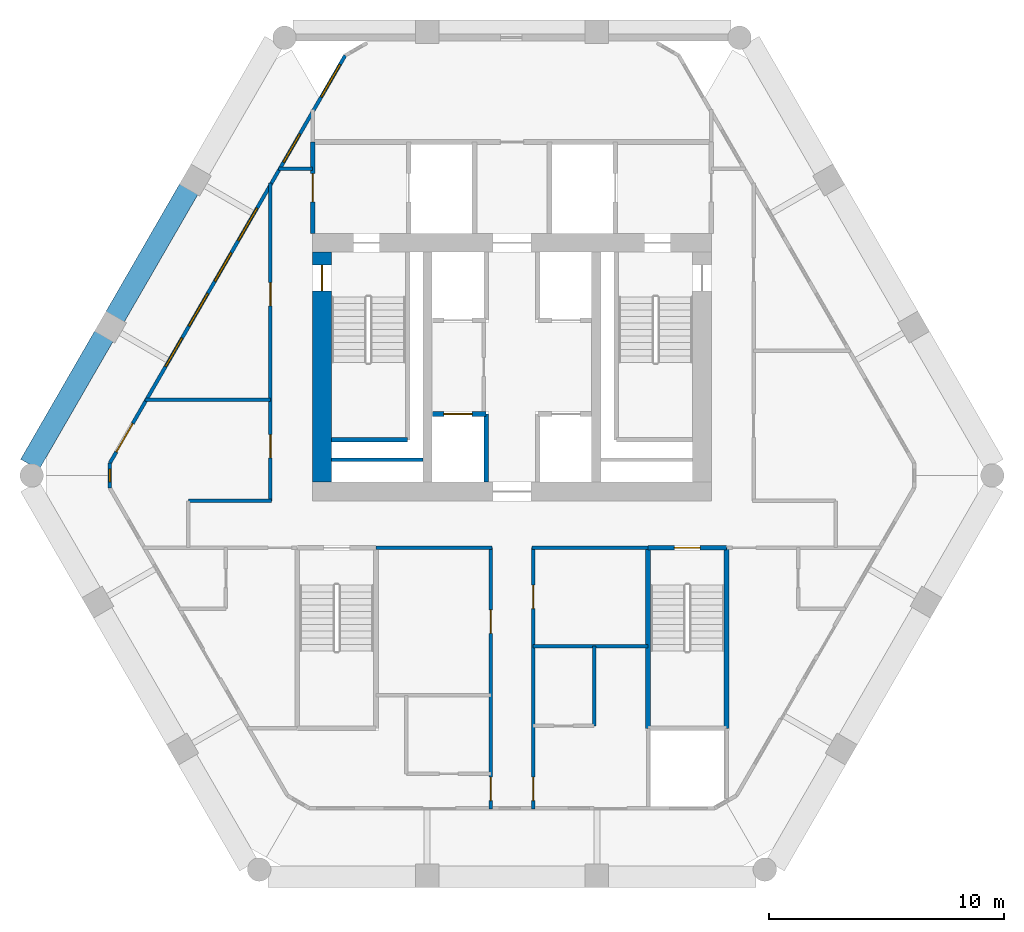
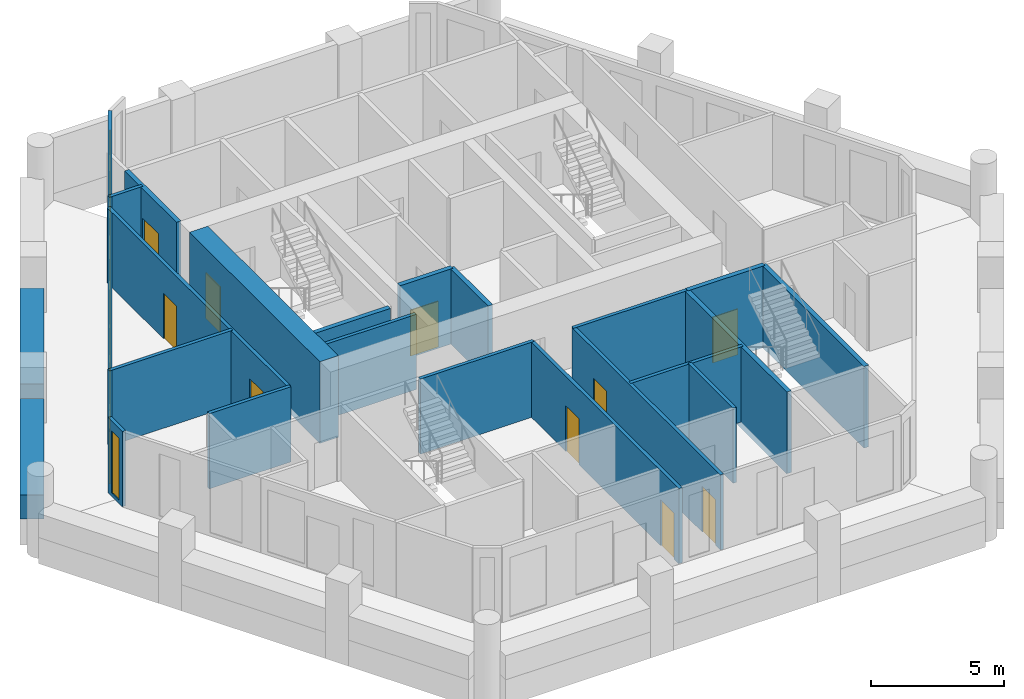
# One storey, part 3 of 7: 23 walls, 11 doors, 7 windows, 18 openings.
"""IFC4 building model written with IfcOpenShell, lengths in metres."""

from ifc_helpers import new_model, si_unit, direction, frame, frame_2d, origin, place, context, subcontext, project, spatial, rectangle, extrude, material, layer, layer_set, type_object, element, fill, save


model = new_model("IFC4")

# Units and contexts
model_context = context("Model", 3, precision=1e-05, world=origin(), true_north=direction((0.0, 1.0)))
body_context = subcontext(model_context, "Body", "Model", "MODEL_VIEW")
ifc_project = project(units=[si_unit("LENGTHUNIT", "METRE"), si_unit("AREAUNIT", "SQUARE_METRE"), si_unit("VOLUMEUNIT", "CUBIC_METRE"), si_unit("PLANEANGLEUNIT", "RADIAN"), si_unit("MASSUNIT", "GRAM", prefix="KILO")], contexts=[model_context])

# Site, building, storey
site_placement = place(None, origin())
site = spatial("IfcSite", under=ifc_project, at=site_placement, CompositionType="ELEMENT")
building_placement = place(site_placement, origin())
building = spatial("IfcBuilding", under=site, at=building_placement, Name="Ostrander Bayou Hotel Tower", CompositionType="ELEMENT")
storey_placement = place(building_placement, frame((0.0, 0.0, 183.25)))
storey = spatial("IfcBuildingStorey", under=building, at=storey_placement, Name="L45", CompositionType="ELEMENT", Elevation=183.25)

# Wall, opening, door
ifc_material_1 = material(Name="Concrete f'c 60 MPa", Category="concrete")
ifc_layer_1 = layer(ifc_material_1, 0.800048828125)
ifc_layer_set_1 = layer_set([ifc_layer_1], Name="CW8 core spine wall 800 mm f'c 60 MPa")
wall_type_1 = type_object("IfcWallType", Name="CW8 core spine wall 800 mm f'c 60 MPa", PredefinedType="SHEAR", material=ifc_layer_set_1)
wall_1_placement = place(storey_placement, frame((-8.10009765625, -0.89990234375, -0.300048828125), z_axis=(0.0, 0.0, 1.0), x_axis=(0.0, 1.0, 0.0)))
wall_1 = element("IfcWall", 1, at=wall_1_placement, inside=storey, type_object=wall_type_1, Name="CW8 L45 W", PredefinedType="SHEAR", context=body_context, shape_type="SweptSolid", body=[
    extrude(rectangle(XDim=9.7998046875, YDim=0.800048828125, at=frame_2d((4.89990234375, 0.0))), origin(), (0.0, 0.0, 1.0), 3.75),
])
opening_1_placement = place(wall_1_placement, frame((8.14990234375, 0.0, 0.0)))
opening_1 = element("IfcOpeningElement", 2, at=opening_1_placement, cuts=wall_1, Name="Opening T44-008", PredefinedType="OPENING", context=body_context, shape_type="SweptSolid", body=[
    extrude(rectangle(XDim=1.10009765625, YDim=2.10009765625, at=frame_2d((0.550048828125, 1.050048828125))), frame((0.0, 0.39990234375, 0.0), z_axis=(0.0, -1.0, 0.0), x_axis=(1.0, 0.0, 0.0)), (0.0, 0.0, 1.0), 0.800048828125),
])
ifc_material_2 = material(Name="Timber door leaf", Category="wood")
door_type_1 = type_object("IfcDoorType", Name="D5 stair door 1100 x 2100 mm, 90 minute", OperationType="SINGLE_SWING_LEFT", PredefinedType="DOOR", material=ifc_material_2)
door_1_placement = place(opening_1_placement, origin())
door_1 = element("IfcDoor", 3, at=door_1_placement, inside=storey, type_object=door_type_1, Name="dr:L45:008", OperationType="SINGLE_SWING_RIGHT", OverallHeight=2.10009765625, OverallWidth=1.10009765625, PredefinedType="DOOR", context=body_context, shape_type="SweptSolid", body=[
    extrude(rectangle(XDim=1.10009765625, YDim=2.10009765625, at=frame_2d((0.550048828125, 1.050048828125))), frame((0.0, 0.02490234375, 0.0), z_axis=(0.0, -1.0, 0.0), x_axis=(1.0, 0.0, 0.0)), (0.0, 0.0, 1.0), 0.050048828125),
])
fill(opening_1, door_1)

# Wall, openings, door, windows
ifc_material_3 = material(Name="Aluminium framed insulated wall", Category="aluminium")
ifc_layer_2 = layer(ifc_material_3, 0.14990234375)
ifc_layer_set_2 = layer_set([ifc_layer_2], Name="GW1 glass-line wall 150 mm")
wall_type_2 = type_object("IfcWallType", Name="GW1 glass-line wall 150 mm", PredefinedType="SOLIDWALL", material=ifc_layer_set_2)
wall_2_placement = place(storey_placement, frame((-7.109375, 17.29248046875, 0.0), z_axis=(0.0, 0.0, 1.0), x_axis=(-0.499999728453, -0.866025560562, 0.0)))
wall_2 = element("IfcWall", 4, at=wall_2_placement, inside=storey, type_object=wall_type_2, Name="GW1 L45 NW 1", PredefinedType="SOLIDWALL", context=body_context, shape_type="SweptSolid", body=[
    extrude(rectangle(XDim=20.07080078125, YDim=0.14990234375, at=frame_2d((10.035400390625, 0.0))), origin(), (0.0, 0.0, 1.0), 3.449951171875),
])
opening_2_placement = place(wall_2_placement, frame((3.86767578125, 0.0, 0.14990234375)))
opening_2 = element("IfcOpeningElement", 5, at=opening_2_placement, cuts=wall_2, Name="Opening W13", PredefinedType="OPENING", context=body_context, shape_type="SweptSolid", body=[
    extrude(rectangle(XDim=1.39990234375, YDim=2.85009765625, at=frame_2d((0.699951171875, 1.425048828125))), frame((0.0, 0.074951171875, 0.0), z_axis=(0.0, -1.0, 0.0), x_axis=(1.0, 0.0, 0.0)), (0.0, 0.0, 1.0), 0.14990234375),
])
opening_3_placement = place(wall_2_placement, frame((7.52099609375, 0.0, 0.14990234375)))
opening_3 = element("IfcOpeningElement", 6, at=opening_3_placement, cuts=wall_2, Name="Opening W3", PredefinedType="OPENING", context=body_context, shape_type="SweptSolid", body=[
    extrude(rectangle(XDim=1.60009765625, YDim=2.85009765625, at=frame_2d((0.800048828125, 1.425048828125))), frame((0.0, 0.074951171875, 0.0), z_axis=(0.0, -1.0, 0.0), x_axis=(1.0, 0.0, 0.0)), (0.0, 0.0, 1.0), 0.14990234375),
])
opening_4_placement = place(wall_2_placement, frame((9.72119140625, 0.0, 0.14990234375)))
opening_4 = element("IfcOpeningElement", 7, at=opening_4_placement, cuts=wall_2, Name="Opening W13", PredefinedType="OPENING", context=body_context, shape_type="SweptSolid", body=[
    extrude(rectangle(XDim=1.39990234375, YDim=2.85009765625, at=frame_2d((0.699951171875, 1.425048828125))), frame((0.0, 0.074951171875, 0.0), z_axis=(0.0, -1.0, 0.0), x_axis=(1.0, 0.0, 0.0)), (0.0, 0.0, 1.0), 0.14990234375),
])
opening_5_placement = place(wall_2_placement, frame((11.72119140625, 0.0, 0.14990234375)))
opening_5 = element("IfcOpeningElement", 8, at=opening_5_placement, cuts=wall_2, Name="Opening W3", PredefinedType="OPENING", context=body_context, shape_type="SweptSolid", body=[
    extrude(rectangle(XDim=1.60009765625, YDim=2.85009765625, at=frame_2d((0.800048828125, 1.425048828125))), frame((0.0, 0.074951171875, 0.0), z_axis=(0.0, -1.0, 0.0), x_axis=(1.0, 0.0, 0.0)), (0.0, 0.0, 1.0), 0.14990234375),
])
opening_6_placement = place(wall_2_placement, frame((13.921142578125, 0.0, 0.14990234375)))
opening_6 = element("IfcOpeningElement", 9, at=opening_6_placement, cuts=wall_2, Name="Opening W13", PredefinedType="OPENING", context=body_context, shape_type="SweptSolid", body=[
    extrude(rectangle(XDim=1.39990234375, YDim=2.85009765625, at=frame_2d((0.699951171875, 1.425048828125))), frame((0.0, 0.074951171875, 0.0), z_axis=(0.0, -1.0, 0.0), x_axis=(1.0, 0.0, 0.0)), (0.0, 0.0, 1.0), 0.14990234375),
])
opening_7_placement = place(wall_2_placement, frame((18.12109375, 0.0, 0.0)))
opening_7 = element("IfcOpeningElement", 10, at=opening_7_placement, cuts=wall_2, Name="Opening T44-800", PredefinedType="OPENING", context=body_context, shape_type="SweptSolid", body=[
    extrude(rectangle(XDim=1.39990234375, YDim=2.39990234375, at=frame_2d((0.699951171875, 1.199951171875))), frame((0.0, 0.074951171875, 0.0), z_axis=(0.0, -1.0, 0.0), x_axis=(1.0, 0.0, 0.0)), (0.0, 0.0, 1.0), 0.14990234375),
])
opening_8_placement = place(wall_2_placement, frame((0.45166015625, 0.0, 0.14990234375)))
opening_8 = element("IfcOpeningElement", 11, at=opening_8_placement, cuts=wall_2, Name="Opening W3", PredefinedType="OPENING", context=body_context, shape_type="SweptSolid", body=[
    extrude(rectangle(XDim=1.60009765625, YDim=2.72998046875, at=frame_2d((0.800048828125, 1.364990234375))), frame((0.0, 0.074951171875, 0.0), z_axis=(0.0, -1.0, 0.0), x_axis=(1.0, 0.0, 0.0)), (0.0, 0.0, 1.0), 0.14990234375),
])
ifc_material_4 = material(Name="Aluminium and clear glass", Category="aluminium")
door_type_2 = type_object("IfcDoorType", Name="SD3 sliding glass door 1400 mm, zone 3", OperationType="SLIDING_TO_LEFT", PredefinedType="DOOR", material=ifc_material_4)
door_2_placement = place(opening_7_placement, origin())
door_2 = element("IfcDoor", 12, at=door_2_placement, inside=storey, type_object=door_type_2, Name="SD3 L45 NW 4", OperationType="SLIDING_TO_RIGHT", OverallHeight=2.39990234375, OverallWidth=1.39990234375, PredefinedType="DOOR", context=body_context, shape_type="SweptSolid", body=[
    extrude(rectangle(XDim=1.39990234375, YDim=2.39990234375, at=frame_2d((0.699951171875, 1.199951171875))), frame((0.0, 0.02490234375, 0.0), z_axis=(0.0, -1.0, 0.0), x_axis=(1.0, 0.0, 0.0)), (0.0, 0.0, 1.0), 0.050048828125),
])
fill(opening_7, door_2)
ifc_material_5 = material(Name="Aluminium and clear glass", Category="aluminium")
window_type_1 = type_object("IfcWindowType", Name="W13 fixed window 1400 mm, bath bay, zone 3", PartitioningType="SINGLE_PANEL", PredefinedType="WINDOW", material=ifc_material_5)
window_1_placement = place(opening_2_placement, origin())
window_1 = element("IfcWindow", 13, at=window_1_placement, inside=storey, type_object=window_type_1, Name="W13 L45 NW 1", OverallHeight=2.85009765625, OverallWidth=1.39990234375, PartitioningType="SINGLE_PANEL", PredefinedType="WINDOW", context=body_context, shape_type="SweptSolid", body=[
    extrude(rectangle(XDim=1.39990234375, YDim=2.85009765625, at=frame_2d((0.699951171875, 1.425048828125))), frame((0.0, 0.030029296875, 0.0), z_axis=(0.0, -1.0, 0.0), x_axis=(1.0, 0.0, 0.0)), (0.0, 0.0, 1.0), 0.06005859375),
])
fill(opening_2, window_1)
window_2_placement = place(opening_4_placement, origin())
window_2 = element("IfcWindow", 14, at=window_2_placement, inside=storey, type_object=window_type_1, Name="W13 L45 NW 2", OverallHeight=2.85009765625, OverallWidth=1.39990234375, PartitioningType="SINGLE_PANEL", PredefinedType="WINDOW", context=body_context, shape_type="SweptSolid", body=[
    extrude(rectangle(XDim=1.39990234375, YDim=2.85009765625, at=frame_2d((0.699951171875, 1.425048828125))), frame((0.0, 0.030029296875, 0.0), z_axis=(0.0, -1.0, 0.0), x_axis=(1.0, 0.0, 0.0)), (0.0, 0.0, 1.0), 0.06005859375),
])
fill(opening_4, window_2)
window_3_placement = place(opening_6_placement, origin())
window_3 = element("IfcWindow", 15, at=window_3_placement, inside=storey, type_object=window_type_1, Name="W13 L45 NW 3", OverallHeight=2.85009765625, OverallWidth=1.39990234375, PartitioningType="SINGLE_PANEL", PredefinedType="WINDOW", context=body_context, shape_type="SweptSolid", body=[
    extrude(rectangle(XDim=1.39990234375, YDim=2.85009765625, at=frame_2d((0.699951171875, 1.425048828125))), frame((0.0, 0.030029296875, 0.0), z_axis=(0.0, -1.0, 0.0), x_axis=(1.0, 0.0, 0.0)), (0.0, 0.0, 1.0), 0.06005859375),
])
fill(opening_6, window_3)
ifc_material_6 = material(Name="Aluminium and clear glass", Category="aluminium")
window_type_2 = type_object("IfcWindowType", Name="W3 fixed window 1600 mm, zone 3", PartitioningType="SINGLE_PANEL", PredefinedType="WINDOW", material=ifc_material_6)
window_4_placement = place(opening_3_placement, origin())
window_4 = element("IfcWindow", 16, at=window_4_placement, inside=storey, type_object=window_type_2, Name="W3 L45 NW 2", OverallHeight=2.85009765625, OverallWidth=1.60009765625, PartitioningType="SINGLE_PANEL", PredefinedType="WINDOW", context=body_context, shape_type="SweptSolid", body=[
    extrude(rectangle(XDim=1.60009765625, YDim=2.85009765625, at=frame_2d((0.800048828125, 1.425048828125))), frame((0.0, 0.030029296875, 0.0), z_axis=(0.0, -1.0, 0.0), x_axis=(1.0, 0.0, 0.0)), (0.0, 0.0, 1.0), 0.06005859375),
])
fill(opening_3, window_4)
window_5_placement = place(opening_5_placement, origin())
window_5 = element("IfcWindow", 17, at=window_5_placement, inside=storey, type_object=window_type_2, Name="W3 L45 NW 3", OverallHeight=2.85009765625, OverallWidth=1.60009765625, PartitioningType="SINGLE_PANEL", PredefinedType="WINDOW", context=body_context, shape_type="SweptSolid", body=[
    extrude(rectangle(XDim=1.60009765625, YDim=2.85009765625, at=frame_2d((0.800048828125, 1.425048828125))), frame((0.0, 0.030029296875, 0.0), z_axis=(0.0, -1.0, 0.0), x_axis=(1.0, 0.0, 0.0)), (0.0, 0.0, 1.0), 0.06005859375),
])
fill(opening_5, window_5)
window_6_placement = place(opening_8_placement, origin())
window_6 = element("IfcWindow", 18, at=window_6_placement, inside=storey, type_object=window_type_2, Name="W3 L45 NW E11", OverallHeight=2.72998046875, OverallWidth=1.60009765625, PartitioningType="SINGLE_PANEL", PredefinedType="WINDOW", context=body_context, shape_type="SweptSolid", body=[
    extrude(rectangle(XDim=1.60009765625, YDim=2.72998046875, at=frame_2d((0.800048828125, 1.364990234375))), frame((0.0, 0.030029296875, 0.0), z_axis=(0.0, -1.0, 0.0), x_axis=(1.0, 0.0, 0.0)), (0.0, 0.0, 1.0), 0.06005859375),
])
fill(opening_8, window_6)

# Wall, opening, window
wall_3_placement = place(storey_placement, frame((-17.144775390625, -0.08935546875, 0.0), z_axis=(0.0, 0.0, 1.0), x_axis=(0.0, -1.0, 0.0)))
wall_3 = element("IfcWall", 19, at=wall_3_placement, inside=storey, type_object=wall_type_2, Name="GW1 L45 corner 2", PredefinedType="SOLIDWALL", context=body_context, shape_type="SweptSolid", body=[
    extrude(rectangle(XDim=1.06494140625, YDim=0.14990234375, at=frame_2d((0.532470703125, 0.0))), origin(), (0.0, 0.0, 1.0), 3.449951171875),
])
opening_9_placement = place(wall_3_placement, frame((0.257568359375, 0.0, 0.14990234375)))
opening_9 = element("IfcOpeningElement", 20, at=opening_9_placement, cuts=wall_3, Name="Opening W19", PredefinedType="OPENING", context=body_context, shape_type="SweptSolid", body=[
    extrude(rectangle(XDim=0.550048828125, YDim=2.85009765625, at=frame_2d((0.27490234375, 1.425048828125))), frame((0.0, 0.074951171875, 0.0), z_axis=(0.0, -1.0, 0.0), x_axis=(1.0, 0.0, 0.0)), (0.0, 0.0, 1.0), 0.14990234375),
])
ifc_material_7 = material(Name="Aluminium and clear glass", Category="aluminium")
window_type_3 = type_object("IfcWindowType", Name="W19 corner window 550 mm", PartitioningType="SINGLE_PANEL", PredefinedType="WINDOW", material=ifc_material_7)
window_7_placement = place(opening_9_placement, origin())
window_7 = element("IfcWindow", 21, at=window_7_placement, inside=storey, type_object=window_type_3, Name="W19 L45 corner 2", OverallHeight=2.85009765625, OverallWidth=0.550048828125, PartitioningType="SINGLE_PANEL", PredefinedType="WINDOW", context=body_context, shape_type="SweptSolid", body=[
    extrude(rectangle(XDim=0.550048828125, YDim=2.85009765625, at=frame_2d((0.27490234375, 1.425048828125))), frame((0.0, 0.030029296875, 0.0), z_axis=(0.0, -1.0, 0.0), x_axis=(1.0, 0.0, 0.0)), (0.0, 0.0, 1.0), 0.06005859375),
])
fill(opening_9, window_7)

# Walls
ifc_material_8 = material(Name="Concrete f'c 40 MPa", Category="concrete")
ifc_layer_3 = layer(ifc_material_8, 0.89990234375)
ifc_layer_set_3 = layer_set([ifc_layer_3], Name="PA1 stone-faced parapet 900 mm")
wall_type_3 = type_object("IfcWallType", Name="PA1 stone-faced parapet 900 mm", PredefinedType="PARAPET", material=ifc_layer_set_3)
wall_4_placement = place(storey_placement, frame((-13.779052734375, 11.59033203125, 0.0), z_axis=(0.0, 0.0, 1.0), x_axis=(-0.499984268907, -0.866034485945, 0.0)))
element("IfcWall", 22, at=wall_4_placement, inside=storey, type_object=wall_type_3, Name="PA1 L45 NW-2", PredefinedType="PARAPET", context=body_context, shape_type="SweptSolid", body=[
    extrude(rectangle(XDim=6.296142578125, YDim=0.89990234375, at=frame_2d((3.14794921875, 0.0))), origin(), (0.0, 0.0, 1.0), 1.10009765625),
])
wall_5_placement = place(storey_placement, frame((-17.39697265625, 5.32373046875, 0.0), z_axis=(0.0, 0.0, 1.0), x_axis=(-0.500017688138, -0.866015191293, 0.0)))
element("IfcWall", 23, at=wall_5_placement, inside=storey, type_object=wall_type_3, Name="PA1 L45 NW-3", PredefinedType="PARAPET", context=body_context, shape_type="SweptSolid", body=[
    extrude(rectangle(XDim=6.322998046875, YDim=0.89990234375, at=frame_2d((3.16162109375, 0.0))), origin(), (0.0, 0.0, 1.0), 1.10009765625),
])

# Wall, opening, door
ifc_material_9 = material(Name="Masonry block", Category="masonry")
ifc_layer_4 = layer(ifc_material_9, 0.199951171875)
ifc_layer_set_4 = layer_set([ifc_layer_4], Name="PT5 stair enclosure wall 200 mm masonry, 2 hour")
wall_type_4 = type_object("IfcWallType", Name="PT5 stair enclosure wall 200 mm masonry, 2 hour", PredefinedType="PARTITIONING", material=ifc_layer_set_4)
wall_6_placement = place(storey_placement, frame((-8.5, 9.699951171875, 0.0), z_axis=(0.0, 0.0, 1.0), x_axis=(0.0, 1.0, 0.0)))
wall_6 = element("IfcWall", 24, at=wall_6_placement, inside=storey, type_object=wall_type_4, Name="cs:L45:026", PredefinedType="PARTITIONING", context=body_context, shape_type="SweptSolid", body=[
    extrude(rectangle(XDim=3.900146484375, YDim=0.199951171875, at=frame_2d((1.9501953125, 0.0))), origin(), (0.0, 0.0, 1.0), 3.449951171875),
])
opening_10_placement = place(wall_6_placement, frame((1.35009765625, 0.0, 0.0)))
opening_10 = element("IfcOpeningElement", 25, at=opening_10_placement, cuts=wall_6, Name="Opening T44-014", PredefinedType="OPENING", context=body_context, shape_type="SweptSolid", body=[
    extrude(rectangle(XDim=1.199951171875, YDim=2.10009765625, at=frame_2d((0.60009765625, 1.050048828125))), frame((0.0, 0.10009765625, 0.0), z_axis=(0.0, -1.0, 0.0), x_axis=(1.0, 0.0, 0.0)), (0.0, 0.0, 1.0), 0.199951171875),
])
ifc_material_10 = material(Name="Timber door leaf", Category="wood")
door_type_3 = type_object("IfcDoorType", Name="D7 lobby door 1200 x 2100 mm, 1 hour", OperationType="SINGLE_SWING_LEFT", PredefinedType="DOOR", material=ifc_material_10)
door_3_placement = place(opening_10_placement, origin())
door_3 = element("IfcDoor", 26, at=door_3_placement, inside=storey, type_object=door_type_3, Name="dr:L45:014", OperationType="SINGLE_SWING_LEFT", OverallHeight=2.10009765625, OverallWidth=1.199951171875, PredefinedType="DOOR", context=body_context, shape_type="SweptSolid", body=[
    extrude(rectangle(XDim=1.199951171875, YDim=2.10009765625, at=frame_2d((0.60009765625, 1.050048828125))), frame((0.0, 0.02490234375, 0.0), z_axis=(0.0, -1.0, 0.0), x_axis=(1.0, 0.0, 0.0)), (0.0, 0.0, 1.0), 0.050048828125),
])
fill(opening_10, door_3)

ifc_material_11 = material(Name="Masonry block", Category="masonry")
ifc_layer_5 = layer(ifc_material_11, 0.199951171875)
ifc_layer_set_5 = layer_set([ifc_layer_5], Name="PT6 lift shaft wall 200 mm masonry, 2 hour")
wall_type_5 = type_object("IfcWallType", Name="PT6 lift shaft wall 200 mm masonry, 2 hour", PredefinedType="PARTITIONING", material=ifc_layer_set_5)
wall_7_placement = place(storey_placement, frame((-3.39990234375, 2.0, 0.0), z_axis=(0.0, 0.0, 1.0), x_axis=(1.0, 0.0, 0.0)))
wall_7 = element("IfcWall", 27, at=wall_7_placement, inside=storey, type_object=wall_type_5, Name="cs:L45:001", PredefinedType="PARTITIONING", context=body_context, shape_type="SweptSolid", body=[
    extrude(rectangle(XDim=2.2998046875, YDim=0.199951171875, at=frame_2d((1.14990234375, 0.0))), origin(), (0.0, 0.0, 1.0), 3.449951171875),
])
opening_11_placement = place(wall_7_placement, frame((0.5, 0.0, 0.0)))
opening_11 = element("IfcOpeningElement", 28, at=opening_11_placement, cuts=wall_7, Name="Opening T44-001", PredefinedType="OPENING", context=body_context, shape_type="SweptSolid", body=[
    extrude(rectangle(XDim=1.199951171875, YDim=2.10009765625, at=frame_2d((0.60009765625, 1.050048828125))), frame((0.0, 0.10009765625, 0.0), z_axis=(0.0, -1.0, 0.0), x_axis=(1.0, 0.0, 0.0)), (0.0, 0.0, 1.0), 0.199951171875),
])
ifc_material_12 = material(Name="Stainless steel sliding door", Category="steel")
door_type_4 = type_object("IfcDoorType", Name="LD1 lift landing door 1200 x 2100 mm", OperationType="SINGLE_SWING_LEFT", PredefinedType="DOOR", material=ifc_material_12)
door_4_placement = place(opening_11_placement, origin())
door_4 = element("IfcDoor", 29, at=door_4_placement, inside=storey, type_object=door_type_4, Name="dr:L45:001", OperationType="SLIDING_TO_LEFT", OverallHeight=2.10009765625, OverallWidth=1.199951171875, PredefinedType="DOOR", context=body_context, shape_type="SweptSolid", body=[
    extrude(rectangle(XDim=1.199951171875, YDim=2.10009765625, at=frame_2d((0.60009765625, 1.050048828125))), frame((0.0, 0.02490234375, 0.0), z_axis=(0.0, -1.0, 0.0), x_axis=(1.0, 0.0, 0.0)), (0.0, 0.0, 1.0), 0.050048828125),
])
fill(opening_11, door_4)

# Walls
wall_8_placement = place(storey_placement, frame((-1.10009765625, -0.89990234375, 0.0), z_axis=(0.0, 0.0, 1.0), x_axis=(0.0, 1.0, 0.0)))
element("IfcWall", 30, at=wall_8_placement, inside=storey, type_object=wall_type_5, Name="cs:L45:005", PredefinedType="PARTITIONING", context=body_context, shape_type="SweptSolid", body=[
    extrude(rectangle(XDim=2.89990234375, YDim=0.199951171875, at=frame_2d((1.449951171875, 0.0))), origin(), (0.0, 0.0, 1.0), 3.449951171875),
])
ifc_material_13 = material(Name="Gypsum board partition", Category="finish")
ifc_layer_6 = layer(ifc_material_13, 0.14990234375)
ifc_layer_set_6 = layer_set([ifc_layer_6], Name="PT7 riser wall 150 mm, 2 hour")
wall_type_6 = type_object("IfcWallType", Name="PT7 riser wall 150 mm, 2 hour", PredefinedType="PARTITIONING", material=ifc_layer_set_6)
wall_9_placement = place(storey_placement, frame((-7.699951171875, 0.050048828125, 0.0), z_axis=(0.0, 0.0, 1.0), x_axis=(1.0, 0.0, 0.0)))
element("IfcWall", 31, at=wall_9_placement, inside=storey, type_object=wall_type_6, Name="cs:L45:011", PredefinedType="PARTITIONING", context=body_context, shape_type="SweptSolid", body=[
    extrude(rectangle(XDim=3.89990234375, YDim=0.14990234375, at=frame_2d((1.949951171875, 0.0))), origin(), (0.0, 0.0, 1.0), 3.449951171875),
])
ifc_material_14 = material(Name="Gypsum board partition", Category="finish")
ifc_layer_7 = layer(ifc_material_14, 0.14990234375)
ifc_layer_set_7 = layer_set([ifc_layer_7], Name="PT8 service band wall 150 mm, 1 hour")
wall_type_7 = type_object("IfcWallType", Name="PT8 service band wall 150 mm, 1 hour", PredefinedType="PARTITIONING", material=ifc_layer_set_7)
wall_10_placement = place(storey_placement, frame((0.89990234375, -7.89990234375, 0.0), z_axis=(0.0, 0.0, 1.0), x_axis=(1.0, 0.0, 0.0)))
element("IfcWall", 32, at=wall_10_placement, inside=storey, type_object=wall_type_7, Name="gw:L45:005", PredefinedType="PARTITIONING", context=body_context, shape_type="SweptSolid", body=[
    extrude(rectangle(XDim=4.89013671875, YDim=0.14990234375, at=frame_2d((2.445068359375, 0.0))), origin(), (0.0, 0.0, 1.0), 3.449951171875),
])
for number, where, z_axis, x_axis, name in (
    (33, (-5.7900390625, -3.699951171875, 0.0), (0.0, 0.0, 1.0), (1.0, 0.0, 0.0), "gw:L45:009"),
    (34, (0.860107421875, -3.699951171875, 0.0), (0.0, 0.0, 1.0), (1.0, 0.0, 0.0), "gw:L45:010"),
):
    element("IfcWall", number, at=place(storey_placement, frame(where, z_axis=z_axis, x_axis=x_axis)), inside=storey, type_object=wall_type_7, Name=name, PredefinedType="PARTITIONING", context=body_context, shape_type="SweptSolid", body=[
        extrude(rectangle(XDim=4.929931640625, YDim=0.14990234375, at=frame_2d((2.46484375, 0.0))), origin(), (0.0, 0.0, 1.0), 3.449951171875),
    ])
wall_11_placement = place(storey_placement, frame((-13.800048828125, -1.699951171875, 0.0), z_axis=(0.0, 0.0, 1.0), x_axis=(1.0, 0.0, 0.0)))
element("IfcWall", 35, at=wall_11_placement, inside=storey, type_object=wall_type_7, Name="gw:L45:012", PredefinedType="PARTITIONING", context=body_context, shape_type="SweptSolid", body=[
    extrude(rectangle(XDim=3.5400390625, YDim=0.14990234375, at=frame_2d((1.77001953125, 0.0))), origin(), (0.0, 0.0, 1.0), 3.449951171875),
])
wall_12_placement = place(storey_placement, frame((-15.64404296875, 2.60009765625, 0.0), z_axis=(0.0, 0.0, 1.0), x_axis=(1.0, 0.0, 0.0)))
element("IfcWall", 36, at=wall_12_placement, inside=storey, type_object=wall_type_7, Name="gw:L45:014", PredefinedType="PARTITIONING", context=body_context, shape_type="SweptSolid", body=[
    extrude(rectangle(XDim=5.343994140625, YDim=0.14990234375, at=frame_2d((2.671875, 0.0))), origin(), (0.0, 0.0, 1.0), 3.449951171875),
])
wall_13_placement = place(storey_placement, frame((-9.95703125, 12.449951171875, 0.0), z_axis=(0.0, 0.0, 1.0), x_axis=(1.0, 0.0, 0.0)))
element("IfcWall", 37, at=wall_13_placement, inside=storey, type_object=wall_type_7, Name="gw:L45:016", PredefinedType="PARTITIONING", context=body_context, shape_type="SweptSolid", body=[
    extrude(rectangle(XDim=1.447021484375, YDim=0.14990234375, at=frame_2d((0.7236328125, 0.0))), origin(), (0.0, 0.0, 1.0), 3.449951171875),
])
wall_14_placement = place(storey_placement, frame((3.5, -11.300048828125, 0.0), z_axis=(0.0, 0.0, 1.0), x_axis=(0.0, 1.0, 0.0)))
element("IfcWall", 38, at=wall_14_placement, inside=storey, type_object=wall_type_7, Name="gw:L45:024", PredefinedType="PARTITIONING", context=body_context, shape_type="SweptSolid", body=[
    extrude(rectangle(XDim=3.400146484375, YDim=0.14990234375, at=frame_2d((1.7001953125, 0.0))), origin(), (0.0, 0.0, 1.0), 3.449951171875),
])

# Wall, openings, doors
wall_15_placement = place(storey_placement, frame((0.89990234375, -14.847900390625, 0.0), z_axis=(0.0, 0.0, 1.0), x_axis=(0.0, 1.0, 0.0)))
wall_15 = element("IfcWall", 39, at=wall_15_placement, inside=storey, type_object=wall_type_7, Name="gw:L45:025", PredefinedType="PARTITIONING", context=body_context, shape_type="SweptSolid", body=[
    extrude(rectangle(XDim=11.14794921875, YDim=0.14990234375, at=frame_2d((5.573974609375, 0.0))), origin(), (0.0, 0.0, 1.0), 3.449951171875),
])
opening_12_placement = place(wall_15_placement, frame((8.548095703125, 0.0, 0.0)))
opening_12 = element("IfcOpeningElement", 40, at=opening_12_placement, cuts=wall_15, Name="Opening T44-405", PredefinedType="OPENING", context=body_context, shape_type="SweptSolid", body=[
    extrude(rectangle(XDim=1.0, YDim=2.10009765625, at=frame_2d((0.5, 1.050048828125))), frame((0.0, 0.074951171875, 0.0), z_axis=(0.0, -1.0, 0.0), x_axis=(1.0, 0.0, 0.0)), (0.0, 0.0, 1.0), 0.14990234375),
])
opening_13_placement = place(wall_15_placement, frame((0.367919921875, 0.0, 0.0)))
opening_13 = element("IfcOpeningElement", 41, at=opening_13_placement, cuts=wall_15, Name="Opening T44-406", PredefinedType="OPENING", context=body_context, shape_type="SweptSolid", body=[
    extrude(rectangle(XDim=1.0, YDim=2.10009765625, at=frame_2d((0.5, 1.050048828125))), frame((0.0, 0.074951171875, 0.0), z_axis=(0.0, -1.0, 0.0), x_axis=(1.0, 0.0, 0.0)), (0.0, 0.0, 1.0), 0.14990234375),
])
ifc_material_15 = material(Name="Timber door leaf", Category="wood")
door_type_5 = type_object("IfcDoorType", Name="D1 guest room door 1000 x 2100 mm, 30 minute", OperationType="SINGLE_SWING_LEFT", PredefinedType="DOOR", material=ifc_material_15)
door_5_placement = place(opening_13_placement, origin())
door_5 = element("IfcDoor", 42, at=door_5_placement, inside=storey, type_object=door_type_5, Name="dr:L45:406", OperationType="SINGLE_SWING_LEFT", OverallHeight=2.10009765625, OverallWidth=1.0, PredefinedType="DOOR", context=body_context, shape_type="SweptSolid", body=[
    extrude(rectangle(XDim=1.0, YDim=2.10009765625, at=frame_2d((0.5, 1.050048828125))), frame((0.0, 0.02490234375, 0.0), z_axis=(0.0, -1.0, 0.0), x_axis=(1.0, 0.0, 0.0)), (0.0, 0.0, 1.0), 0.050048828125),
])
fill(opening_13, door_5)
ifc_material_16 = material(Name="Timber door leaf", Category="wood")
door_type_6 = type_object("IfcDoorType", Name="D15 room door 1000 x 2100 mm", OperationType="SINGLE_SWING_LEFT", PredefinedType="DOOR", material=ifc_material_16)
door_6_placement = place(opening_12_placement, origin())
door_6 = element("IfcDoor", 43, at=door_6_placement, inside=storey, type_object=door_type_6, Name="dr:L45:405", OperationType="SINGLE_SWING_RIGHT", OverallHeight=2.10009765625, OverallWidth=1.0, PredefinedType="DOOR", context=body_context, shape_type="SweptSolid", body=[
    extrude(rectangle(XDim=1.0, YDim=2.10009765625, at=frame_2d((0.5, 1.050048828125))), frame((0.0, 0.02490234375, 0.0), z_axis=(0.0, -1.0, 0.0), x_axis=(1.0, 0.0, 0.0)), (0.0, 0.0, 1.0), 0.050048828125),
])
fill(opening_12, door_6)

wall_16_placement = place(storey_placement, frame((-0.89990234375, -14.847900390625, 0.0), z_axis=(0.0, 0.0, 1.0), x_axis=(0.0, 1.0, 0.0)))
wall_16 = element("IfcWall", 44, at=wall_16_placement, inside=storey, type_object=wall_type_7, Name="gw:L45:026", PredefinedType="PARTITIONING", context=body_context, shape_type="SweptSolid", body=[
    extrude(rectangle(XDim=11.14794921875, YDim=0.14990234375, at=frame_2d((5.573974609375, 0.0))), origin(), (0.0, 0.0, 1.0), 3.449951171875),
])
opening_14_placement = place(wall_16_placement, frame((7.498046875, 0.0, 0.0)))
opening_14 = element("IfcOpeningElement", 45, at=opening_14_placement, cuts=wall_16, Name="Opening T44-402", PredefinedType="OPENING", context=body_context, shape_type="SweptSolid", body=[
    extrude(rectangle(XDim=1.0, YDim=2.10009765625, at=frame_2d((0.5, 1.050048828125))), frame((0.0, 0.074951171875, 0.0), z_axis=(0.0, -1.0, 0.0), x_axis=(1.0, 0.0, 0.0)), (0.0, 0.0, 1.0), 0.14990234375),
])
opening_15_placement = place(wall_16_placement, frame((0.367919921875, 0.0, 0.0)))
opening_15 = element("IfcOpeningElement", 46, at=opening_15_placement, cuts=wall_16, Name="Opening T44-403", PredefinedType="OPENING", context=body_context, shape_type="SweptSolid", body=[
    extrude(rectangle(XDim=1.0, YDim=2.10009765625, at=frame_2d((0.5, 1.050048828125))), frame((0.0, 0.074951171875, 0.0), z_axis=(0.0, -1.0, 0.0), x_axis=(1.0, 0.0, 0.0)), (0.0, 0.0, 1.0), 0.14990234375),
])
door_7_placement = place(opening_15_placement, origin())
door_7 = element("IfcDoor", 47, at=door_7_placement, inside=storey, type_object=door_type_5, Name="dr:L45:403", OperationType="SINGLE_SWING_LEFT", OverallHeight=2.10009765625, OverallWidth=1.0, PredefinedType="DOOR", context=body_context, shape_type="SweptSolid", body=[
    extrude(rectangle(XDim=1.0, YDim=2.10009765625, at=frame_2d((0.5, 1.050048828125))), frame((0.0, 0.02490234375, 0.0), z_axis=(0.0, -1.0, 0.0), x_axis=(1.0, 0.0, 0.0)), (0.0, 0.0, 1.0), 0.050048828125),
])
fill(opening_15, door_7)
door_8_placement = place(opening_14_placement, origin())
door_8 = element("IfcDoor", 48, at=door_8_placement, inside=storey, type_object=door_type_6, Name="dr:L45:402", OperationType="SINGLE_SWING_LEFT", OverallHeight=2.10009765625, OverallWidth=1.0, PredefinedType="DOOR", context=body_context, shape_type="SweptSolid", body=[
    extrude(rectangle(XDim=1.0, YDim=2.10009765625, at=frame_2d((0.5, 1.050048828125))), frame((0.0, 0.02490234375, 0.0), z_axis=(0.0, -1.0, 0.0), x_axis=(1.0, 0.0, 0.0)), (0.0, 0.0, 1.0), 0.050048828125),
])
fill(opening_14, door_8)

wall_17_placement = place(storey_placement, frame((-10.300048828125, -1.699951171875, 0.0), z_axis=(0.0, 0.0, 1.0), x_axis=(0.0, 1.0, 0.0)))
wall_17 = element("IfcWall", 49, at=wall_17_placement, inside=storey, type_object=wall_type_7, Name="gw:L45:029", PredefinedType="PARTITIONING", context=body_context, shape_type="SweptSolid", body=[
    extrude(rectangle(XDim=13.555908203125, YDim=0.14990234375, at=frame_2d((6.77783203125, 0.0))), origin(), (0.0, 0.0, 1.0), 3.449951171875),
])
opening_16_placement = place(wall_17_placement, frame((1.824951171875, 0.0, 0.0)))
opening_16 = element("IfcOpeningElement", 50, at=opening_16_placement, cuts=wall_17, Name="Opening T44-410", PredefinedType="OPENING", context=body_context, shape_type="SweptSolid", body=[
    extrude(rectangle(XDim=1.0, YDim=2.10009765625, at=frame_2d((0.5, 1.050048828125))), frame((0.0, 0.074951171875, 0.0), z_axis=(0.0, -1.0, 0.0), x_axis=(1.0, 0.0, 0.0)), (0.0, 0.0, 1.0), 0.14990234375),
])
opening_17_placement = place(wall_17_placement, frame((8.306884765625, 0.0, 0.0)))
opening_17 = element("IfcOpeningElement", 51, at=opening_17_placement, cuts=wall_17, Name="Opening T44-411", PredefinedType="OPENING", context=body_context, shape_type="SweptSolid", body=[
    extrude(rectangle(XDim=1.0, YDim=2.10009765625, at=frame_2d((0.5, 1.050048828125))), frame((0.0, 0.074951171875, 0.0), z_axis=(0.0, -1.0, 0.0), x_axis=(1.0, 0.0, 0.0)), (0.0, 0.0, 1.0), 0.14990234375),
])
door_9_placement = place(opening_16_placement, origin())
door_9 = element("IfcDoor", 52, at=door_9_placement, inside=storey, type_object=door_type_6, Name="dr:L45:410", OperationType="SINGLE_SWING_RIGHT", OverallHeight=2.10009765625, OverallWidth=1.0, PredefinedType="DOOR", context=body_context, shape_type="SweptSolid", body=[
    extrude(rectangle(XDim=1.0, YDim=2.10009765625, at=frame_2d((0.5, 1.050048828125))), frame((0.0, 0.02490234375, 0.0), z_axis=(0.0, -1.0, 0.0), x_axis=(1.0, 0.0, 0.0)), (0.0, 0.0, 1.0), 0.050048828125),
])
fill(opening_16, door_9)
ifc_material_17 = material(Name="Timber door leaf", Category="wood")
door_type_7 = type_object("IfcDoorType", Name="D9 service door 1000 x 2100 mm, 30 minute", OperationType="SINGLE_SWING_LEFT", PredefinedType="DOOR", material=ifc_material_17)
door_10_placement = place(opening_17_placement, origin())
door_10 = element("IfcDoor", 53, at=door_10_placement, inside=storey, type_object=door_type_7, Name="dr:L45:411", OperationType="SINGLE_SWING_LEFT", OverallHeight=2.10009765625, OverallWidth=1.0, PredefinedType="DOOR", context=body_context, shape_type="SweptSolid", body=[
    extrude(rectangle(XDim=1.0, YDim=2.10009765625, at=frame_2d((0.5, 1.050048828125))), frame((0.0, 0.02490234375, 0.0), z_axis=(0.0, -1.0, 0.0), x_axis=(1.0, 0.0, 0.0)), (0.0, 0.0, 1.0), 0.050048828125),
])
fill(opening_17, door_10)

# Wall
ifc_material_18 = material(Name="Concrete f'c 45 MPa", Category="concrete")
ifc_layer_8 = layer(ifc_material_18, 0.199951171875)
ifc_layer_set_8 = layer_set([ifc_layer_8], Name="SW5 stair enclosure wall 200 mm f'c 45 MPa")
wall_type_8 = type_object("IfcWallType", Name="SW5 stair enclosure wall 200 mm f'c 45 MPa", PredefinedType="SOLIDWALL", material=ifc_layer_set_8)
wall_18_placement = place(storey_placement, frame((-7.699951171875, 0.89990234375, -0.300048828125), z_axis=(0.0, 0.0, 1.0), x_axis=(1.0, 0.0, 0.0)))
element("IfcWall", 54, at=wall_18_placement, inside=storey, type_object=wall_type_8, Name="cs:L45:010", PredefinedType="SOLIDWALL", context=body_context, shape_type="SweptSolid", body=[
    extrude(rectangle(XDim=3.25, YDim=0.199951171875, at=frame_2d((1.625, 0.0))), origin(), (0.0, 0.0, 1.0), 3.75),
])

# Wall, opening, door
wall_19_placement = place(storey_placement, frame((5.800048828125, -3.699951171875, -0.300048828125), z_axis=(0.0, 0.0, 1.0), x_axis=(1.0, 0.0, 0.0)))
wall_19 = element("IfcWall", 55, at=wall_19_placement, inside=storey, type_object=wall_type_8, Name="cs:L45:015", PredefinedType="SOLIDWALL", context=body_context, shape_type="SweptSolid", body=[
    extrude(rectangle(XDim=3.349853515625, YDim=0.199951171875, at=frame_2d((1.6748046875, 0.0))), origin(), (0.0, 0.0, 1.0), 3.75),
])
opening_18_placement = place(wall_19_placement, frame((1.125, 0.0, 0.0)))
opening_18 = element("IfcOpeningElement", 56, at=opening_18_placement, cuts=wall_19, Name="Opening T44-011", PredefinedType="OPENING", context=body_context, shape_type="SweptSolid", body=[
    extrude(rectangle(XDim=1.10009765625, YDim=2.10009765625, at=frame_2d((0.550048828125, 1.050048828125))), frame((0.0, 0.10009765625, 0.0), z_axis=(0.0, -1.0, 0.0), x_axis=(1.0, 0.0, 0.0)), (0.0, 0.0, 1.0), 0.199951171875),
])
door_11_placement = place(opening_18_placement, origin())
door_11 = element("IfcDoor", 57, at=door_11_placement, inside=storey, type_object=door_type_1, Name="dr:L45:011", OperationType="SINGLE_SWING_LEFT", OverallHeight=2.10009765625, OverallWidth=1.10009765625, PredefinedType="DOOR", context=body_context, shape_type="SweptSolid", body=[
    extrude(rectangle(XDim=1.10009765625, YDim=2.10009765625, at=frame_2d((0.550048828125, 1.050048828125))), frame((0.0, 0.02490234375, 0.0), z_axis=(0.0, -1.0, 0.0), x_axis=(1.0, 0.0, 0.0)), (0.0, 0.0, 1.0), 0.050048828125),
])
fill(opening_18, door_11)

# Walls
for number, where, z_axis, x_axis, name in (
    (58, (5.800048828125, -3.699951171875, -0.300048828125), (0.0, 0.0, 1.0), (0.0, -1.0, 0.0), "cs:L45:016"),
    (59, (9.14990234375, -3.699951171875, -0.300048828125), (0.0, 0.0, 1.0), (0.0, -1.0, 0.0), "cs:L45:017"),
):
    element("IfcWall", number, at=place(storey_placement, frame(where, z_axis=z_axis, x_axis=x_axis)), inside=storey, type_object=wall_type_8, Name=name, PredefinedType="SOLIDWALL", context=body_context, shape_type="SweptSolid", body=[
        extrude(rectangle(XDim=7.699951171875, YDim=0.199951171875, at=frame_2d((3.85009765625, 0.0))), origin(), (0.0, 0.0, 1.0), 3.75),
    ])

save(model, "model.ifc")
